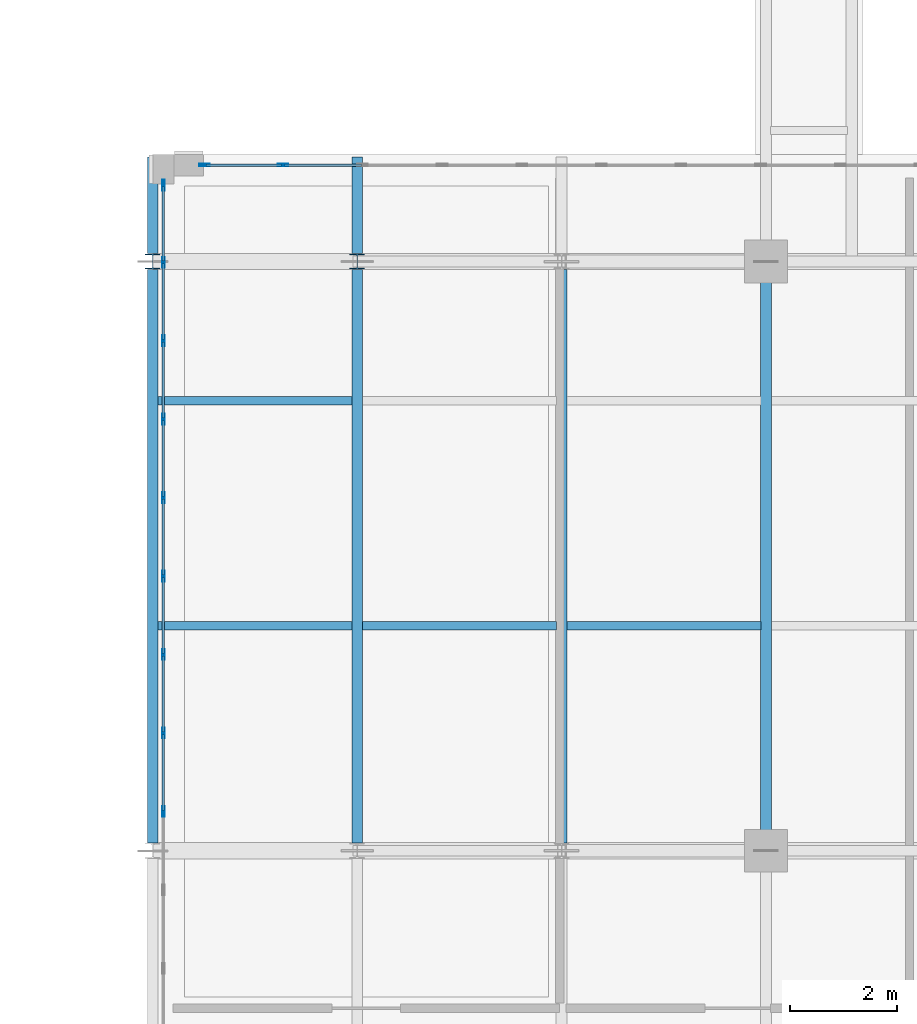
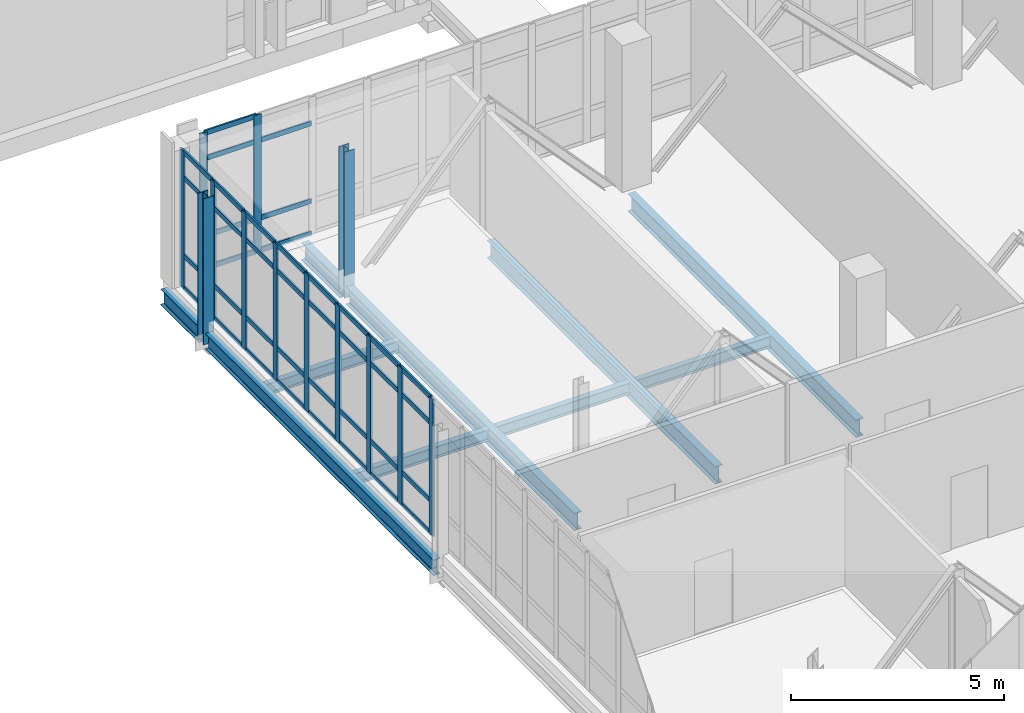
# One storey, part 9 of 158: 52 members, 10 beams, 2 elements without a shape of their own.
"""IFC4 building model written with IfcOpenShell, lengths in metres."""

import ifcopenshell
import ifcopenshell.guid

model = None  # the IFC model being written
_history = None  # IfcOwnerHistory: only IFC2X3 demands one
_inside = {}  # id of a spatial element -> (the spatial element, [elements in it])
_under = {}  # id of a project, library or spatial element -> (it, [spatial elements below it])
_declared = {}  # id of a project -> (the project, [libraries it declares])
_typed = {}  # id of a type object -> (the type object, [elements of that type])
_made_of = {}  # id of a material, layer set ... -> (it, [elements and type objects made of it])


def new_model(schema):
    """Start an empty IFC model of exactly this schema.

    Asked for "IFC4X3", IfcOpenShell would pick the latest addendum, in which some entities
    have other attributes; the version numbers below select the first issue.
    IFC2X3 requires an IfcOwnerHistory on every rooted entity: one is made here for all.
    """
    global model, _history
    if schema == "IFC4X3":
        model = ifcopenshell.file(schema_version=(4, 3, 0, 0))
    else:
        model = ifcopenshell.file(schema=schema)
    _inside.clear()
    _under.clear()
    _declared.clear()
    _typed.clear()
    _made_of.clear()
    _history = None
    if model.schema == "IFC2X3":
        org = make("IfcOrganization", Name="unknown")
        user = make(
            "IfcPersonAndOrganization",
            ThePerson=make("IfcPerson", FamilyName="unknown"),
            TheOrganization=org,
        )
        app = make(
            "IfcApplication",
            ApplicationDeveloper=org,
            Version="unknown",
            ApplicationFullName="unknown",
            ApplicationIdentifier="unknown",
        )
        _history = make(
            "IfcOwnerHistory",
            OwningUser=user,
            OwningApplication=app,
            ChangeAction="ADDED",
            CreationDate=0,
        )
    return model


def make(cls, **values):
    """One entity of the class cls with the attributes given. An attribute that is None is left unset."""
    return model.create_entity(
        cls, **{name: value for name, value in values.items() if value is not None}
    )


def rooted(cls, **values):
    """An entity with a GlobalId (a new one), such as an element, a storey or a relation."""
    return make(cls, GlobalId=ifcopenshell.guid.new(), OwnerHistory=_history, **values)


def si_unit(unit_type, name, prefix=None):
    """IfcSIUnit, for example si_unit("LENGTHUNIT", "METRE", prefix="MILLI")."""
    return make("IfcSIUnit", UnitType=unit_type, Prefix=prefix, Name=name)


def assignment(units):
    """IfcUnitAssignment: the units of a project."""
    return None if units is None else make("IfcUnitAssignment", Units=units)


def point(xyz):
    """IfcCartesianPoint."""
    return None if xyz is None else make("IfcCartesianPoint", Coordinates=xyz)


def direction(xyz):
    """IfcDirection."""
    return None if xyz is None else make("IfcDirection", DirectionRatios=xyz)


def frame(location, z_axis=None, x_axis=None):
    """IfcAxis2Placement3D, a coordinate frame: its origin and axes. An axis left out is left unset."""
    return make(
        "IfcAxis2Placement3D",
        Location=point(location),
        Axis=direction(z_axis),
        RefDirection=direction(x_axis),
    )


def frame_2d(location, x_axis=None):
    """IfcAxis2Placement2D, a coordinate frame in the plane: its origin and x axis."""
    return make(
        "IfcAxis2Placement2D", Location=point(location), RefDirection=direction(x_axis)
    )


def origin():
    """The frame at (0, 0, 0) with its axes left unset."""
    return frame((0.0, 0.0, 0.0))


def origin_2d():
    """The frame at (0, 0) in the plane with its x axis left unset."""
    return frame_2d((0.0, 0.0))


def place(relative_to, where):
    """IfcLocalPlacement: puts the frame where relative to a parent placement (None: the world)."""
    return make(
        "IfcLocalPlacement", PlacementRelTo=relative_to, RelativePlacement=where
    )


def context(
    kind, dimensions, precision=None, world=None, true_north=None, identifier=None
):
    """IfcGeometricRepresentationContext, for example the 3D "Model" context."""
    return make(
        "IfcGeometricRepresentationContext",
        ContextIdentifier=identifier,
        ContextType=kind,
        CoordinateSpaceDimension=dimensions,
        Precision=precision,
        WorldCoordinateSystem=world,
        TrueNorth=true_north,
    )


def subcontext(parent, identifier, kind, view, scale=None):
    """IfcGeometricRepresentationSubContext, for example "Body" below "Model"."""
    return make(
        "IfcGeometricRepresentationSubContext",
        ContextIdentifier=identifier,
        ContextType=kind,
        ParentContext=parent,
        TargetScale=scale,
        TargetView=view,
    )


def project(units=None, contexts=None):
    """IfcProject with its units and contexts."""
    return rooted(
        "IfcProject",
        Name="project",
        RepresentationContexts=contexts,
        UnitsInContext=assignment(units),
    )


def spatial(cls, under=None, at=None, **own):
    """A site, building, storey or space (cls), placed at a placement, below another one or the project."""
    s = rooted(cls, ObjectPlacement=at, **own)
    if under is not None:
        _under.setdefault(under.id(), (under, []))[1].append(s)
    return s


def profile(cls, at=None, kind="AREA", **sizes):
    """A parametric profile (cls). Its sizes go by their IFC names, for example OverallWidth=200.0."""
    return make(cls, ProfileType=kind, Position=at, **sizes)


def hollow_rectangle(**sizes):
    """IfcRectangleHollowProfileDef."""
    return profile("IfcRectangleHollowProfileDef", **sizes)


def i_section(**sizes):
    """IfcIShapeProfileDef."""
    return profile("IfcIShapeProfileDef", **sizes)


def extrude(swept, where, along, depth):
    """IfcExtrudedAreaSolid: the profile swept, set in the frame where, extruded along a direction by depth."""
    return make(
        "IfcExtrudedAreaSolid",
        SweptArea=swept,
        Position=where,
        ExtrudedDirection=direction(along),
        Depth=depth,
    )


def shape(context_of_items, identifier, shape_type, items):
    """IfcShapeRepresentation: the items that make up one representation, for example the "Body"."""
    return make(
        "IfcShapeRepresentation",
        ContextOfItems=context_of_items,
        RepresentationIdentifier=identifier,
        RepresentationType=shape_type,
        Items=items,
    )


def material(Name=None, Category=None):
    """IfcMaterial."""
    return make("IfcMaterial", Name=Name, Category=Category)


def layer(
    of_material, thickness, ventilated=None, Name=None, Category=None, Priority=None
):
    """IfcMaterialLayer: one layer of a wall or slab, of a material (None: an air gap)."""
    return make(
        "IfcMaterialLayer",
        Material=of_material,
        LayerThickness=thickness,
        IsVentilated=ventilated,
        Name=Name,
        Category=Category,
        Priority=Priority,
    )


def layer_set(layers, Name=None):
    """IfcMaterialLayerSet."""
    return make("IfcMaterialLayerSet", MaterialLayers=layers, LayerSetName=Name)


def material_profile(
    of_material, cross_section, Name=None, Category=None, Priority=None
):
    """IfcMaterialProfile: a cross section and its material."""
    return make(
        "IfcMaterialProfile",
        Name=Name,
        Material=of_material,
        Profile=cross_section,
        Priority=Priority,
        Category=Category,
    )


def profile_set(profiles, Name=None, composite=None):
    """IfcMaterialProfileSet."""
    return make(
        "IfcMaterialProfileSet",
        Name=Name,
        MaterialProfiles=profiles,
        CompositeProfile=composite,
    )


def made_of(thing, what):
    """Note that an element or type object is made of a material, layer set ...; save() writes the relation."""
    if what is not None:
        _made_of.setdefault(what.id(), (what, []))[1].append(thing)
    return thing


def type_object(cls, material=None, **own):
    """A type object (cls), such as IfcWallType, which elements share."""
    return made_of(rooted(cls, **own), material)


def element(
    cls,
    number,
    at=None,
    inside=None,
    cuts=None,
    type_object=None,
    material=None,
    context=None,
    identifier="Body",
    shape_type=None,
    held_by="IfcProductDefinitionShape",
    body=None,
    shapes=None,
    **own,
):
    """One element of the class cls, such as IfcWall. Its Tag is "e" and its number.

    at: its placement. inside: the storey or other place that contains it. cuts: it is an
    opening in that element (IfcRelVoidsElement). A single representation is given by context,
    identifier, shape_type and body (its items); several are given by shapes. held_by: the class
    of the entity that holds the representations. save() writes the other relations.
    """
    e = rooted(cls, Tag="e%d" % number, ObjectPlacement=at, **own)
    if body is not None:
        shapes = [shape(context, identifier, shape_type, body)]
    if shapes is not None:
        e.Representation = make(held_by, Representations=shapes)
    if inside is not None:
        _inside.setdefault(inside.id(), (inside, []))[1].append(e)
    if cuts is not None:
        rooted(
            "IfcRelVoidsElement", RelatingBuildingElement=cuts, RelatedOpeningElement=e
        )
    if type_object is not None:
        _typed.setdefault(type_object.id(), (type_object, []))[1].append(e)
    return made_of(e, material)


def aggregate(whole, parts):
    """IfcRelAggregates: a whole, such as a stair, and the parts it consists of."""
    return rooted("IfcRelAggregates", RelatingObject=whole, RelatedObjects=parts)


def save(model, path):
    """Write the relations noted so far, then the file.

    IfcRelAggregates (storeys below a building ...), IfcRelContainedInSpatialStructure (elements
    in a storey), IfcRelDefinesByType, IfcRelAssociatesMaterial and IfcRelDeclares: one each for
    every whole, place, type object, material and project.
    """
    for whole, parts in _under.values():
        aggregate(whole, parts)
    for where, things in _inside.values():
        rooted(
            "IfcRelContainedInSpatialStructure",
            RelatedElements=things,
            RelatingStructure=where,
        )
    for kind, things in _typed.values():
        rooted("IfcRelDefinesByType", RelatedObjects=things, RelatingType=kind)
    for what, things in _made_of.values():
        rooted("IfcRelAssociatesMaterial", RelatedObjects=things, RelatingMaterial=what)
    for by, libraries in _declared.values():
        rooted("IfcRelDeclares", RelatingContext=by, RelatedDefinitions=libraries)
    model.write(path)


model = new_model("IFC4")

# Units and contexts
model_context = context("Model", 3, precision=1e-05, world=origin(), true_north=direction((0.0, 1.0)))
body_context = subcontext(model_context, "Body", "Model", "MODEL_VIEW")
ifc_project = project(units=[si_unit("LENGTHUNIT", "METRE"), si_unit("AREAUNIT", "SQUARE_METRE"), si_unit("VOLUMEUNIT", "CUBIC_METRE"), si_unit("PLANEANGLEUNIT", "RADIAN"), si_unit("MASSUNIT", "GRAM", prefix="KILO")], contexts=[model_context])

# Site, building, storey
site_placement = place(None, origin())
site = spatial("IfcSite", under=ifc_project, at=site_placement, CompositionType="ELEMENT")
building_placement = place(site_placement, origin())
building = spatial("IfcBuilding", under=site, at=building_placement, Name="Qalavern Law Courts", CompositionType="ELEMENT")
storey_placement = place(building_placement, frame((0.0, 0.0, 18.60009765625)))
storey = spatial("IfcBuildingStorey", under=building, at=storey_placement, Name="L04", CompositionType="ELEMENT", Elevation=18.60009765625)

# Curtain wall, members
ifc_material_1 = material(Name="Anodised aluminium and insulated glazing", Category="aluminium")
ifc_layer = layer(ifc_material_1, 0.199951171875)
ifc_layer_set = layer_set([ifc_layer], Name="Anodised aluminium and insulated glazing")
curtain_wall_type = type_object("IfcCurtainWallType", Name="ENV-CW-FOYER", PredefinedType="USERDEFINED", material=ifc_layer_set)
curtain_wall_1_placement = place(storey_placement, origin())
curtain_wall_1 = element("IfcCurtainWall", 1, at=curtain_wall_1_placement, inside=storey, type_object=curtain_wall_type, Name="V1 unitised curtain wall L04 north 1", ObjectType="UNITISED CURTAIN WALL", PredefinedType="USERDEFINED")
ifc_material_2 = material(Name="Anodised aluminium", Category="aluminium")
ifc_material_profile_1 = material_profile(ifc_material_2, hollow_rectangle(XDim=0.048095703125, YDim=0.199951171875, WallThickness=0.00439453125, at=origin_2d()), Name="ALU MULLION 48x200")
ifc_profile_set_1 = profile_set([ifc_material_profile_1], Name="Anodised aluminium")
member_type_1 = type_object("IfcMemberType", Name="ENV-CWM-48x200", PredefinedType="MULLION", material=ifc_profile_set_1)
member_1_placement = place(storey_placement, frame((7.78173828125, 33.800048828125, 0.0), z_axis=(0.0, 0.0, 1.0), x_axis=(0.0, -1.0, 0.0)))
member_1 = element("IfcMember", 2, at=member_1_placement, type_object=member_type_1, Name="CW-01 mullion 18", PredefinedType="MULLION", context=body_context, shape_type="SweptSolid", body=[
    extrude(hollow_rectangle(XDim=0.048095703125, YDim=0.199951171875, WallThickness=0.00439453125, at=origin_2d()), origin(), (0.0, 0.0, 1.0), 3.9248046875),
])
member_2_placement = place(storey_placement, frame((6.319091796875, 33.800048828125, 0.0), z_axis=(0.0, 0.0, 1.0), x_axis=(0.0, -1.0, 0.0)))
member_2 = element("IfcMember", 3, at=member_2_placement, type_object=member_type_1, Name="CW-01 mullion 19", PredefinedType="MULLION", context=body_context, shape_type="SweptSolid", body=[
    extrude(hollow_rectangle(XDim=0.048095703125, YDim=0.199951171875, WallThickness=0.00439453125, at=origin_2d()), origin(), (0.0, 0.0, 1.0), 3.9248046875),
])

curtain_wall_2_placement = place(storey_placement, origin())
curtain_wall_2 = element("IfcCurtainWall", 4, at=curtain_wall_2_placement, inside=storey, type_object=curtain_wall_type, Name="V1 unitised curtain wall L04 west 1", ObjectType="UNITISED CURTAIN WALL", PredefinedType="USERDEFINED")
member_3_placement = place(storey_placement, frame((5.550048828125, 33.426025390625, 0.0), z_axis=(0.0, 0.0, 1.0), x_axis=(1.0, 0.0, 0.0)))
member_3 = element("IfcMember", 5, at=member_3_placement, type_object=member_type_1, Name="CW-01 mullion 1", PredefinedType="MULLION", context=body_context, shape_type="SweptSolid", body=[
    extrude(hollow_rectangle(XDim=0.048095703125, YDim=0.199951171875, WallThickness=0.00439453125, at=origin_2d()), origin(), (0.0, 0.0, 1.0), 3.9248046875),
])
member_4_placement = place(storey_placement, frame((5.550048828125, 31.9853515625, 0.0), z_axis=(0.0, 0.0, 1.0), x_axis=(1.0, 0.0, 0.0)))
member_4 = element("IfcMember", 6, at=member_4_placement, type_object=member_type_1, Name="CW-01 mullion 2", PredefinedType="MULLION", context=body_context, shape_type="SweptSolid", body=[
    extrude(hollow_rectangle(XDim=0.048095703125, YDim=0.199951171875, WallThickness=0.00439453125, at=origin_2d()), origin(), (0.0, 0.0, 1.0), 3.9248046875),
])
member_5_placement = place(storey_placement, frame((5.550048828125, 30.5205078125, 0.0), z_axis=(0.0, 0.0, 1.0), x_axis=(1.0, 0.0, 0.0)))
member_5 = element("IfcMember", 7, at=member_5_placement, type_object=member_type_1, Name="CW-01 mullion 3", PredefinedType="MULLION", context=body_context, shape_type="SweptSolid", body=[
    extrude(hollow_rectangle(XDim=0.048095703125, YDim=0.199951171875, WallThickness=0.00439453125, at=origin_2d()), origin(), (0.0, 0.0, 1.0), 3.9248046875),
])
member_6_placement = place(storey_placement, frame((5.550048828125, 29.055908203125, 0.0), z_axis=(0.0, 0.0, 1.0), x_axis=(1.0, 0.0, 0.0)))
member_6 = element("IfcMember", 8, at=member_6_placement, type_object=member_type_1, Name="CW-01 mullion 4", PredefinedType="MULLION", context=body_context, shape_type="SweptSolid", body=[
    extrude(hollow_rectangle(XDim=0.048095703125, YDim=0.199951171875, WallThickness=0.00439453125, at=origin_2d()), origin(), (0.0, 0.0, 1.0), 3.9248046875),
])
member_7_placement = place(storey_placement, frame((5.550048828125, 27.591064453125, 0.0), z_axis=(0.0, 0.0, 1.0), x_axis=(1.0, 0.0, 0.0)))
member_7 = element("IfcMember", 9, at=member_7_placement, type_object=member_type_1, Name="CW-01 mullion 5", PredefinedType="MULLION", context=body_context, shape_type="SweptSolid", body=[
    extrude(hollow_rectangle(XDim=0.048095703125, YDim=0.199951171875, WallThickness=0.00439453125, at=origin_2d()), origin(), (0.0, 0.0, 1.0), 3.9248046875),
])
member_8_placement = place(storey_placement, frame((5.550048828125, 26.12646484375, 0.0), z_axis=(0.0, 0.0, 1.0), x_axis=(1.0, 0.0, 0.0)))
member_8 = element("IfcMember", 10, at=member_8_placement, type_object=member_type_1, Name="CW-01 mullion 6", PredefinedType="MULLION", context=body_context, shape_type="SweptSolid", body=[
    extrude(hollow_rectangle(XDim=0.048095703125, YDim=0.199951171875, WallThickness=0.00439453125, at=origin_2d()), origin(), (0.0, 0.0, 1.0), 3.9248046875),
])
member_9_placement = place(storey_placement, frame((5.550048828125, 24.661865234375, 0.0), z_axis=(0.0, 0.0, 1.0), x_axis=(1.0, 0.0, 0.0)))
member_9 = element("IfcMember", 11, at=member_9_placement, type_object=member_type_1, Name="CW-01 mullion 7", PredefinedType="MULLION", context=body_context, shape_type="SweptSolid", body=[
    extrude(hollow_rectangle(XDim=0.048095703125, YDim=0.199951171875, WallThickness=0.00439453125, at=origin_2d()), origin(), (0.0, 0.0, 1.0), 3.9248046875),
])
member_10_placement = place(storey_placement, frame((5.550048828125, 23.197021484375, 0.0), z_axis=(0.0, 0.0, 1.0), x_axis=(1.0, 0.0, 0.0)))
member_10 = element("IfcMember", 12, at=member_10_placement, type_object=member_type_1, Name="CW-01 mullion 8", PredefinedType="MULLION", context=body_context, shape_type="SweptSolid", body=[
    extrude(hollow_rectangle(XDim=0.048095703125, YDim=0.199951171875, WallThickness=0.00439453125, at=origin_2d()), origin(), (0.0, 0.0, 1.0), 3.9248046875),
])
member_11_placement = place(storey_placement, frame((5.550048828125, 21.732421875, 0.0), z_axis=(0.0, 0.0, 1.0), x_axis=(1.0, 0.0, 0.0)))
member_11 = element("IfcMember", 13, at=member_11_placement, type_object=member_type_1, Name="CW-01 mullion 9", PredefinedType="MULLION", context=body_context, shape_type="SweptSolid", body=[
    extrude(hollow_rectangle(XDim=0.048095703125, YDim=0.199951171875, WallThickness=0.00439453125, at=origin_2d()), origin(), (0.0, 0.0, 1.0), 3.9248046875),
])

# Member
ifc_material_profile_2 = material_profile(ifc_material_2, hollow_rectangle(XDim=0.048095703125, YDim=0.139892578125, WallThickness=0.00390625, at=origin_2d()), Name="ALU TRANSOM 48x140")
ifc_profile_set_2 = profile_set([ifc_material_profile_2], Name="Anodised aluminium")
member_type_2 = type_object("IfcMemberType", Name="ENV-CWT-48x140", PredefinedType="USERDEFINED", material=ifc_profile_set_2)
member_12_placement = place(storey_placement, frame((9.244384765625, 33.800048828125, 0.02392578125), z_axis=(-1.0, 0.0, 0.0), x_axis=(0.0, -1.0, 0.0)))
member_12 = element("IfcMember", 14, at=member_12_placement, type_object=member_type_2, Name="CW-01 transom 17.1", ObjectType="TRANSOM", PredefinedType="USERDEFINED", context=body_context, shape_type="SweptSolid", body=[
    extrude(hollow_rectangle(XDim=0.048095703125, YDim=0.139892578125, WallThickness=0.00390625, at=origin_2d()), origin(), (0.0, 0.0, 1.0), 1.438720703125),
])

member_13_placement = place(storey_placement, frame((9.244384765625, 33.800048828125, 0.949951171875), z_axis=(-1.0, 0.0, 0.0), x_axis=(0.0, -1.0, 0.0)))
member_13 = element("IfcMember", 15, at=member_13_placement, type_object=member_type_2, Name="CW-01 transom 17.2", ObjectType="TRANSOM", PredefinedType="USERDEFINED", context=body_context, shape_type="SweptSolid", body=[
    extrude(hollow_rectangle(XDim=0.048095703125, YDim=0.139892578125, WallThickness=0.00390625, at=origin_2d()), origin(), (0.0, 0.0, 1.0), 1.438720703125),
])

member_14_placement = place(storey_placement, frame((9.244384765625, 33.800048828125, 3.1748046875), z_axis=(-1.0, 0.0, 0.0), x_axis=(0.0, -1.0, 0.0)))
member_14 = element("IfcMember", 16, at=member_14_placement, type_object=member_type_2, Name="CW-01 transom 17.3", ObjectType="TRANSOM", PredefinedType="USERDEFINED", context=body_context, shape_type="SweptSolid", body=[
    extrude(hollow_rectangle(XDim=0.048095703125, YDim=0.139892578125, WallThickness=0.00390625, at=origin_2d()), origin(), (0.0, 0.0, 1.0), 1.438720703125),
])

member_15_placement = place(storey_placement, frame((7.757568359375, 33.800048828125, 0.02392578125), z_axis=(-1.0, 0.0, 0.0), x_axis=(0.0, -1.0, 0.0)))
member_15 = element("IfcMember", 17, at=member_15_placement, type_object=member_type_2, Name="CW-01 transom 18.1", ObjectType="TRANSOM", PredefinedType="USERDEFINED", context=body_context, shape_type="SweptSolid", body=[
    extrude(hollow_rectangle(XDim=0.048095703125, YDim=0.139892578125, WallThickness=0.00390625, at=origin_2d()), origin(), (0.0, 0.0, 1.0), 1.41455078125),
])

member_16_placement = place(storey_placement, frame((7.757568359375, 33.800048828125, 0.949951171875), z_axis=(-1.0, 0.0, 0.0), x_axis=(0.0, -1.0, 0.0)))
member_16 = element("IfcMember", 18, at=member_16_placement, type_object=member_type_2, Name="CW-01 transom 18.2", ObjectType="TRANSOM", PredefinedType="USERDEFINED", context=body_context, shape_type="SweptSolid", body=[
    extrude(hollow_rectangle(XDim=0.048095703125, YDim=0.139892578125, WallThickness=0.00390625, at=origin_2d()), origin(), (0.0, 0.0, 1.0), 1.41455078125),
])

member_17_placement = place(storey_placement, frame((7.757568359375, 33.800048828125, 3.1748046875), z_axis=(-1.0, 0.0, 0.0), x_axis=(0.0, -1.0, 0.0)))
member_17 = element("IfcMember", 19, at=member_17_placement, type_object=member_type_2, Name="CW-01 transom 18.3", ObjectType="TRANSOM", PredefinedType="USERDEFINED", context=body_context, shape_type="SweptSolid", body=[
    extrude(hollow_rectangle(XDim=0.048095703125, YDim=0.139892578125, WallThickness=0.00390625, at=origin_2d()), origin(), (0.0, 0.0, 1.0), 1.41455078125),
])

member_18_placement = place(storey_placement, frame((7.757568359375, 33.800048828125, 3.90087890625), z_axis=(-1.0, 0.0, 0.0), x_axis=(0.0, -1.0, 0.0)))
member_18 = element("IfcMember", 20, at=member_18_placement, type_object=member_type_2, Name="CW-01 transom 18.4", ObjectType="TRANSOM", PredefinedType="USERDEFINED", context=body_context, shape_type="SweptSolid", body=[
    extrude(hollow_rectangle(XDim=0.048095703125, YDim=0.139892578125, WallThickness=0.00390625, at=origin_2d()), origin(), (0.0, 0.0, 1.0), 1.41455078125),
])

aggregate(curtain_wall_1, [member_1, member_2, member_12, member_13, member_14, member_15, member_16, member_17, member_18])

member_19_placement = place(storey_placement, frame((5.550048828125, 33.402099609375, 0.02392578125), z_axis=(0.0, -1.0, 0.0), x_axis=(1.0, 0.0, 0.0)))
member_19 = element("IfcMember", 21, at=member_19_placement, type_object=member_type_2, Name="CW-01 transom 1.1", ObjectType="TRANSOM", PredefinedType="USERDEFINED", context=body_context, shape_type="SweptSolid", body=[
    extrude(hollow_rectangle(XDim=0.048095703125, YDim=0.139892578125, WallThickness=0.00390625, at=origin_2d()), origin(), (0.0, 0.0, 1.0), 1.392822265625),
])

member_20_placement = place(storey_placement, frame((5.550048828125, 33.402099609375, 0.949951171875), z_axis=(0.0, -1.0, 0.0), x_axis=(1.0, 0.0, 0.0)))
member_20 = element("IfcMember", 22, at=member_20_placement, type_object=member_type_2, Name="CW-01 transom 1.2", ObjectType="TRANSOM", PredefinedType="USERDEFINED", context=body_context, shape_type="SweptSolid", body=[
    extrude(hollow_rectangle(XDim=0.048095703125, YDim=0.139892578125, WallThickness=0.00390625, at=origin_2d()), origin(), (0.0, 0.0, 1.0), 1.392822265625),
])

member_21_placement = place(storey_placement, frame((5.550048828125, 33.402099609375, 3.1748046875), z_axis=(0.0, -1.0, 0.0), x_axis=(1.0, 0.0, 0.0)))
member_21 = element("IfcMember", 23, at=member_21_placement, type_object=member_type_2, Name="CW-01 transom 1.3", ObjectType="TRANSOM", PredefinedType="USERDEFINED", context=body_context, shape_type="SweptSolid", body=[
    extrude(hollow_rectangle(XDim=0.048095703125, YDim=0.139892578125, WallThickness=0.00390625, at=origin_2d()), origin(), (0.0, 0.0, 1.0), 1.392822265625),
])

member_22_placement = place(storey_placement, frame((5.550048828125, 33.402099609375, 3.90087890625), z_axis=(0.0, -1.0, 0.0), x_axis=(1.0, 0.0, 0.0)))
member_22 = element("IfcMember", 24, at=member_22_placement, type_object=member_type_2, Name="CW-01 transom 1.4", ObjectType="TRANSOM", PredefinedType="USERDEFINED", context=body_context, shape_type="SweptSolid", body=[
    extrude(hollow_rectangle(XDim=0.048095703125, YDim=0.139892578125, WallThickness=0.00390625, at=origin_2d()), origin(), (0.0, 0.0, 1.0), 1.392822265625),
])

member_23_placement = place(storey_placement, frame((5.550048828125, 31.961181640625, 0.02392578125), z_axis=(0.0, -1.0, 0.0), x_axis=(1.0, 0.0, 0.0)))
member_23 = element("IfcMember", 25, at=member_23_placement, type_object=member_type_2, Name="CW-01 transom 2.1", ObjectType="TRANSOM", PredefinedType="USERDEFINED", context=body_context, shape_type="SweptSolid", body=[
    extrude(hollow_rectangle(XDim=0.048095703125, YDim=0.139892578125, WallThickness=0.00390625, at=origin_2d()), origin(), (0.0, 0.0, 1.0), 1.41650390625),
])

member_24_placement = place(storey_placement, frame((5.550048828125, 31.961181640625, 0.949951171875), z_axis=(0.0, -1.0, 0.0), x_axis=(1.0, 0.0, 0.0)))
member_24 = element("IfcMember", 26, at=member_24_placement, type_object=member_type_2, Name="CW-01 transom 2.2", ObjectType="TRANSOM", PredefinedType="USERDEFINED", context=body_context, shape_type="SweptSolid", body=[
    extrude(hollow_rectangle(XDim=0.048095703125, YDim=0.139892578125, WallThickness=0.00390625, at=origin_2d()), origin(), (0.0, 0.0, 1.0), 1.41650390625),
])

member_25_placement = place(storey_placement, frame((5.550048828125, 31.961181640625, 3.1748046875), z_axis=(0.0, -1.0, 0.0), x_axis=(1.0, 0.0, 0.0)))
member_25 = element("IfcMember", 27, at=member_25_placement, type_object=member_type_2, Name="CW-01 transom 2.3", ObjectType="TRANSOM", PredefinedType="USERDEFINED", context=body_context, shape_type="SweptSolid", body=[
    extrude(hollow_rectangle(XDim=0.048095703125, YDim=0.139892578125, WallThickness=0.00390625, at=origin_2d()), origin(), (0.0, 0.0, 1.0), 1.41650390625),
])

member_26_placement = place(storey_placement, frame((5.550048828125, 31.961181640625, 3.90087890625), z_axis=(0.0, -1.0, 0.0), x_axis=(1.0, 0.0, 0.0)))
member_26 = element("IfcMember", 28, at=member_26_placement, type_object=member_type_2, Name="CW-01 transom 2.4", ObjectType="TRANSOM", PredefinedType="USERDEFINED", context=body_context, shape_type="SweptSolid", body=[
    extrude(hollow_rectangle(XDim=0.048095703125, YDim=0.139892578125, WallThickness=0.00390625, at=origin_2d()), origin(), (0.0, 0.0, 1.0), 1.41650390625),
])

member_27_placement = place(storey_placement, frame((5.550048828125, 30.49658203125, 0.02392578125), z_axis=(0.0, -1.0, 0.0), x_axis=(1.0, 0.0, 0.0)))
member_27 = element("IfcMember", 29, at=member_27_placement, type_object=member_type_2, Name="CW-01 transom 3.1", ObjectType="TRANSOM", PredefinedType="USERDEFINED", context=body_context, shape_type="SweptSolid", body=[
    extrude(hollow_rectangle(XDim=0.048095703125, YDim=0.139892578125, WallThickness=0.00390625, at=origin_2d()), origin(), (0.0, 0.0, 1.0), 1.416748046875),
])

member_28_placement = place(storey_placement, frame((5.550048828125, 30.49658203125, 0.949951171875), z_axis=(0.0, -1.0, 0.0), x_axis=(1.0, 0.0, 0.0)))
member_28 = element("IfcMember", 30, at=member_28_placement, type_object=member_type_2, Name="CW-01 transom 3.2", ObjectType="TRANSOM", PredefinedType="USERDEFINED", context=body_context, shape_type="SweptSolid", body=[
    extrude(hollow_rectangle(XDim=0.048095703125, YDim=0.139892578125, WallThickness=0.00390625, at=origin_2d()), origin(), (0.0, 0.0, 1.0), 1.416748046875),
])

member_29_placement = place(storey_placement, frame((5.550048828125, 30.49658203125, 3.1748046875), z_axis=(0.0, -1.0, 0.0), x_axis=(1.0, 0.0, 0.0)))
member_29 = element("IfcMember", 31, at=member_29_placement, type_object=member_type_2, Name="CW-01 transom 3.3", ObjectType="TRANSOM", PredefinedType="USERDEFINED", context=body_context, shape_type="SweptSolid", body=[
    extrude(hollow_rectangle(XDim=0.048095703125, YDim=0.139892578125, WallThickness=0.00390625, at=origin_2d()), origin(), (0.0, 0.0, 1.0), 1.416748046875),
])

member_30_placement = place(storey_placement, frame((5.550048828125, 30.49658203125, 3.90087890625), z_axis=(0.0, -1.0, 0.0), x_axis=(1.0, 0.0, 0.0)))
member_30 = element("IfcMember", 32, at=member_30_placement, type_object=member_type_2, Name="CW-01 transom 3.4", ObjectType="TRANSOM", PredefinedType="USERDEFINED", context=body_context, shape_type="SweptSolid", body=[
    extrude(hollow_rectangle(XDim=0.048095703125, YDim=0.139892578125, WallThickness=0.00390625, at=origin_2d()), origin(), (0.0, 0.0, 1.0), 1.416748046875),
])

member_31_placement = place(storey_placement, frame((5.550048828125, 29.031982421875, 0.02392578125), z_axis=(0.0, -1.0, 0.0), x_axis=(1.0, 0.0, 0.0)))
member_31 = element("IfcMember", 33, at=member_31_placement, type_object=member_type_2, Name="CW-01 transom 4.1", ObjectType="TRANSOM", PredefinedType="USERDEFINED", context=body_context, shape_type="SweptSolid", body=[
    extrude(hollow_rectangle(XDim=0.048095703125, YDim=0.139892578125, WallThickness=0.00390625, at=origin_2d()), origin(), (0.0, 0.0, 1.0), 1.416748046875),
])

member_32_placement = place(storey_placement, frame((5.550048828125, 29.031982421875, 0.949951171875), z_axis=(0.0, -1.0, 0.0), x_axis=(1.0, 0.0, 0.0)))
member_32 = element("IfcMember", 34, at=member_32_placement, type_object=member_type_2, Name="CW-01 transom 4.2", ObjectType="TRANSOM", PredefinedType="USERDEFINED", context=body_context, shape_type="SweptSolid", body=[
    extrude(hollow_rectangle(XDim=0.048095703125, YDim=0.139892578125, WallThickness=0.00390625, at=origin_2d()), origin(), (0.0, 0.0, 1.0), 1.416748046875),
])

member_33_placement = place(storey_placement, frame((5.550048828125, 29.031982421875, 3.1748046875), z_axis=(0.0, -1.0, 0.0), x_axis=(1.0, 0.0, 0.0)))
member_33 = element("IfcMember", 35, at=member_33_placement, type_object=member_type_2, Name="CW-01 transom 4.3", ObjectType="TRANSOM", PredefinedType="USERDEFINED", context=body_context, shape_type="SweptSolid", body=[
    extrude(hollow_rectangle(XDim=0.048095703125, YDim=0.139892578125, WallThickness=0.00390625, at=origin_2d()), origin(), (0.0, 0.0, 1.0), 1.416748046875),
])

member_34_placement = place(storey_placement, frame((5.550048828125, 29.031982421875, 3.90087890625), z_axis=(0.0, -1.0, 0.0), x_axis=(1.0, 0.0, 0.0)))
member_34 = element("IfcMember", 36, at=member_34_placement, type_object=member_type_2, Name="CW-01 transom 4.4", ObjectType="TRANSOM", PredefinedType="USERDEFINED", context=body_context, shape_type="SweptSolid", body=[
    extrude(hollow_rectangle(XDim=0.048095703125, YDim=0.139892578125, WallThickness=0.00390625, at=origin_2d()), origin(), (0.0, 0.0, 1.0), 1.416748046875),
])

member_35_placement = place(storey_placement, frame((5.550048828125, 27.567138671875, 0.02392578125), z_axis=(0.0, -1.0, 0.0), x_axis=(1.0, 0.0, 0.0)))
member_35 = element("IfcMember", 37, at=member_35_placement, type_object=member_type_2, Name="CW-01 transom 5.1", ObjectType="TRANSOM", PredefinedType="USERDEFINED", context=body_context, shape_type="SweptSolid", body=[
    extrude(hollow_rectangle(XDim=0.048095703125, YDim=0.139892578125, WallThickness=0.00390625, at=origin_2d()), origin(), (0.0, 0.0, 1.0), 1.416748046875),
])

member_36_placement = place(storey_placement, frame((5.550048828125, 27.567138671875, 0.949951171875), z_axis=(0.0, -1.0, 0.0), x_axis=(1.0, 0.0, 0.0)))
member_36 = element("IfcMember", 38, at=member_36_placement, type_object=member_type_2, Name="CW-01 transom 5.2", ObjectType="TRANSOM", PredefinedType="USERDEFINED", context=body_context, shape_type="SweptSolid", body=[
    extrude(hollow_rectangle(XDim=0.048095703125, YDim=0.139892578125, WallThickness=0.00390625, at=origin_2d()), origin(), (0.0, 0.0, 1.0), 1.416748046875),
])

member_37_placement = place(storey_placement, frame((5.550048828125, 27.567138671875, 3.1748046875), z_axis=(0.0, -1.0, 0.0), x_axis=(1.0, 0.0, 0.0)))
member_37 = element("IfcMember", 39, at=member_37_placement, type_object=member_type_2, Name="CW-01 transom 5.3", ObjectType="TRANSOM", PredefinedType="USERDEFINED", context=body_context, shape_type="SweptSolid", body=[
    extrude(hollow_rectangle(XDim=0.048095703125, YDim=0.139892578125, WallThickness=0.00390625, at=origin_2d()), origin(), (0.0, 0.0, 1.0), 1.416748046875),
])

member_38_placement = place(storey_placement, frame((5.550048828125, 27.567138671875, 3.90087890625), z_axis=(0.0, -1.0, 0.0), x_axis=(1.0, 0.0, 0.0)))
member_38 = element("IfcMember", 40, at=member_38_placement, type_object=member_type_2, Name="CW-01 transom 5.4", ObjectType="TRANSOM", PredefinedType="USERDEFINED", context=body_context, shape_type="SweptSolid", body=[
    extrude(hollow_rectangle(XDim=0.048095703125, YDim=0.139892578125, WallThickness=0.00390625, at=origin_2d()), origin(), (0.0, 0.0, 1.0), 1.416748046875),
])

member_39_placement = place(storey_placement, frame((5.550048828125, 26.1025390625, 0.02392578125), z_axis=(0.0, -1.0, 0.0), x_axis=(1.0, 0.0, 0.0)))
member_39 = element("IfcMember", 41, at=member_39_placement, type_object=member_type_2, Name="CW-01 transom 6.1", ObjectType="TRANSOM", PredefinedType="USERDEFINED", context=body_context, shape_type="SweptSolid", body=[
    extrude(hollow_rectangle(XDim=0.048095703125, YDim=0.139892578125, WallThickness=0.00390625, at=origin_2d()), origin(), (0.0, 0.0, 1.0), 1.416748046875),
])

member_40_placement = place(storey_placement, frame((5.550048828125, 26.1025390625, 0.949951171875), z_axis=(0.0, -1.0, 0.0), x_axis=(1.0, 0.0, 0.0)))
member_40 = element("IfcMember", 42, at=member_40_placement, type_object=member_type_2, Name="CW-01 transom 6.2", ObjectType="TRANSOM", PredefinedType="USERDEFINED", context=body_context, shape_type="SweptSolid", body=[
    extrude(hollow_rectangle(XDim=0.048095703125, YDim=0.139892578125, WallThickness=0.00390625, at=origin_2d()), origin(), (0.0, 0.0, 1.0), 1.416748046875),
])

member_41_placement = place(storey_placement, frame((5.550048828125, 26.1025390625, 3.1748046875), z_axis=(0.0, -1.0, 0.0), x_axis=(1.0, 0.0, 0.0)))
member_41 = element("IfcMember", 43, at=member_41_placement, type_object=member_type_2, Name="CW-01 transom 6.3", ObjectType="TRANSOM", PredefinedType="USERDEFINED", context=body_context, shape_type="SweptSolid", body=[
    extrude(hollow_rectangle(XDim=0.048095703125, YDim=0.139892578125, WallThickness=0.00390625, at=origin_2d()), origin(), (0.0, 0.0, 1.0), 1.416748046875),
])

member_42_placement = place(storey_placement, frame((5.550048828125, 26.1025390625, 3.90087890625), z_axis=(0.0, -1.0, 0.0), x_axis=(1.0, 0.0, 0.0)))
member_42 = element("IfcMember", 44, at=member_42_placement, type_object=member_type_2, Name="CW-01 transom 6.4", ObjectType="TRANSOM", PredefinedType="USERDEFINED", context=body_context, shape_type="SweptSolid", body=[
    extrude(hollow_rectangle(XDim=0.048095703125, YDim=0.139892578125, WallThickness=0.00390625, at=origin_2d()), origin(), (0.0, 0.0, 1.0), 1.416748046875),
])

member_43_placement = place(storey_placement, frame((5.550048828125, 24.6376953125, 0.02392578125), z_axis=(0.0, -1.0, 0.0), x_axis=(1.0, 0.0, 0.0)))
member_43 = element("IfcMember", 45, at=member_43_placement, type_object=member_type_2, Name="CW-01 transom 7.1", ObjectType="TRANSOM", PredefinedType="USERDEFINED", context=body_context, shape_type="SweptSolid", body=[
    extrude(hollow_rectangle(XDim=0.048095703125, YDim=0.139892578125, WallThickness=0.00390625, at=origin_2d()), origin(), (0.0, 0.0, 1.0), 1.416748046875),
])

member_44_placement = place(storey_placement, frame((5.550048828125, 24.6376953125, 0.949951171875), z_axis=(0.0, -1.0, 0.0), x_axis=(1.0, 0.0, 0.0)))
member_44 = element("IfcMember", 46, at=member_44_placement, type_object=member_type_2, Name="CW-01 transom 7.2", ObjectType="TRANSOM", PredefinedType="USERDEFINED", context=body_context, shape_type="SweptSolid", body=[
    extrude(hollow_rectangle(XDim=0.048095703125, YDim=0.139892578125, WallThickness=0.00390625, at=origin_2d()), origin(), (0.0, 0.0, 1.0), 1.416748046875),
])

member_45_placement = place(storey_placement, frame((5.550048828125, 24.6376953125, 3.1748046875), z_axis=(0.0, -1.0, 0.0), x_axis=(1.0, 0.0, 0.0)))
member_45 = element("IfcMember", 47, at=member_45_placement, type_object=member_type_2, Name="CW-01 transom 7.3", ObjectType="TRANSOM", PredefinedType="USERDEFINED", context=body_context, shape_type="SweptSolid", body=[
    extrude(hollow_rectangle(XDim=0.048095703125, YDim=0.139892578125, WallThickness=0.00390625, at=origin_2d()), origin(), (0.0, 0.0, 1.0), 1.416748046875),
])

member_46_placement = place(storey_placement, frame((5.550048828125, 24.6376953125, 3.90087890625), z_axis=(0.0, -1.0, 0.0), x_axis=(1.0, 0.0, 0.0)))
member_46 = element("IfcMember", 48, at=member_46_placement, type_object=member_type_2, Name="CW-01 transom 7.4", ObjectType="TRANSOM", PredefinedType="USERDEFINED", context=body_context, shape_type="SweptSolid", body=[
    extrude(hollow_rectangle(XDim=0.048095703125, YDim=0.139892578125, WallThickness=0.00390625, at=origin_2d()), origin(), (0.0, 0.0, 1.0), 1.416748046875),
])

member_47_placement = place(storey_placement, frame((5.550048828125, 23.173095703125, 0.02392578125), z_axis=(0.0, -1.0, 0.0), x_axis=(1.0, 0.0, 0.0)))
member_47 = element("IfcMember", 49, at=member_47_placement, type_object=member_type_2, Name="CW-01 transom 8.1", ObjectType="TRANSOM", PredefinedType="USERDEFINED", context=body_context, shape_type="SweptSolid", body=[
    extrude(hollow_rectangle(XDim=0.048095703125, YDim=0.139892578125, WallThickness=0.00390625, at=origin_2d()), origin(), (0.0, 0.0, 1.0), 1.416748046875),
])

member_48_placement = place(storey_placement, frame((5.550048828125, 23.173095703125, 0.949951171875), z_axis=(0.0, -1.0, 0.0), x_axis=(1.0, 0.0, 0.0)))
member_48 = element("IfcMember", 50, at=member_48_placement, type_object=member_type_2, Name="CW-01 transom 8.2", ObjectType="TRANSOM", PredefinedType="USERDEFINED", context=body_context, shape_type="SweptSolid", body=[
    extrude(hollow_rectangle(XDim=0.048095703125, YDim=0.139892578125, WallThickness=0.00390625, at=origin_2d()), origin(), (0.0, 0.0, 1.0), 1.416748046875),
])

member_49_placement = place(storey_placement, frame((5.550048828125, 23.173095703125, 3.1748046875), z_axis=(0.0, -1.0, 0.0), x_axis=(1.0, 0.0, 0.0)))
member_49 = element("IfcMember", 51, at=member_49_placement, type_object=member_type_2, Name="CW-01 transom 8.3", ObjectType="TRANSOM", PredefinedType="USERDEFINED", context=body_context, shape_type="SweptSolid", body=[
    extrude(hollow_rectangle(XDim=0.048095703125, YDim=0.139892578125, WallThickness=0.00390625, at=origin_2d()), origin(), (0.0, 0.0, 1.0), 1.416748046875),
])

member_50_placement = place(storey_placement, frame((5.550048828125, 23.173095703125, 3.90087890625), z_axis=(0.0, -1.0, 0.0), x_axis=(1.0, 0.0, 0.0)))
member_50 = element("IfcMember", 52, at=member_50_placement, type_object=member_type_2, Name="CW-01 transom 8.4", ObjectType="TRANSOM", PredefinedType="USERDEFINED", context=body_context, shape_type="SweptSolid", body=[
    extrude(hollow_rectangle(XDim=0.048095703125, YDim=0.139892578125, WallThickness=0.00390625, at=origin_2d()), origin(), (0.0, 0.0, 1.0), 1.416748046875),
])

aggregate(curtain_wall_2, [member_3, member_4, member_5, member_6, member_7, member_8, member_9, member_10, member_11, member_19, member_20, member_21, member_22, member_23, member_24, member_25, member_26, member_27, member_28, member_29, member_30, member_31, member_32, member_33, member_34, member_35, member_36, member_37, member_38, member_39, member_40, member_41, member_42, member_43, member_44, member_45, member_46, member_47, member_48, member_49, member_50])

# Beams
ifc_material_3 = material(Name="Steel S355", Category="steel")
ifc_material_profile_3 = material_profile(ifc_material_3, i_section(OverallWidth=0.199951171875, OverallDepth=0.5, WebThickness=0.01025390625, FlangeThickness=0.01611328125, FilletRadius=0.02099609375, at=origin_2d()), Name="IPE 500")
ifc_profile_set_3 = profile_set([ifc_material_profile_3], Name="Steel S355")
beam_type_1 = type_object("IfcBeamType", Name="STR-BM-IPE500", PredefinedType="BEAM", material=ifc_profile_set_3)
for number, where, z_axis, x_axis, name in (
    (53, (16.800048828125, 21.14794921875, -0.530029296875), (0.0, 1.0, 0.0), (-1.0, 0.0, 0.0), "Foyer transverse beam L04-5.3"),
    (54, (12.9833984375, 21.14794921875, -0.530029296875), (0.0, 1.0, 0.0), (-1.0, 0.0, 0.0), "Foyer transverse beam L04-6.3"),
    (55, (9.166748046875, 21.14794921875, -0.530029296875), (0.0, 1.0, 0.0), (-1.0, 0.0, 0.0), "Foyer transverse beam L04-7.3"),
):
    element("IfcBeam", number, at=place(storey_placement, frame(where, z_axis=z_axis, x_axis=x_axis)), inside=storey, type_object=beam_type_1, Name=name, PredefinedType="BEAM", context=body_context, shape_type="SweptSolid", body=[
        extrude(i_section(OverallWidth=0.199951171875, OverallDepth=0.5, WebThickness=0.01025390625, FlangeThickness=0.01611328125, FilletRadius=0.02099609375, at=origin_2d()), origin(), (0.0, 0.0, 1.0), 10.7041015625),
    ])
beam_1_placement = place(storey_placement, frame((9.166748046875, 32.14794921875, -0.530029296875), z_axis=(0.0, 1.0, 0.0), x_axis=(-1.0, 0.0, 0.0)))
element("IfcBeam", 56, at=beam_1_placement, inside=storey, type_object=beam_type_1, Name="Foyer transverse beam L04-7.4", PredefinedType="BEAM", context=body_context, shape_type="SweptSolid", body=[
    extrude(i_section(OverallWidth=0.199951171875, OverallDepth=0.5, WebThickness=0.01025390625, FlangeThickness=0.01611328125, FilletRadius=0.02099609375, at=origin_2d()), origin(), (0.0, 0.0, 1.0), 1.802001953125),
])
ifc_material_profile_4 = material_profile(ifc_material_3, i_section(OverallWidth=0.159912109375, OverallDepth=0.330078125, WebThickness=0.007568359375, FlangeThickness=0.011474609375, FilletRadius=0.01806640625, at=origin_2d()), Name="IPE 330")
ifc_profile_set_4 = profile_set([ifc_material_profile_4], Name="Steel S355")
beam_type_2 = type_object("IfcBeamType", Name="STR-JST-IPE330", PredefinedType="JOIST", material=ifc_profile_set_4)
for number, where, z_axis, x_axis, name in (
    (57, (13.081298828125, 25.199951171875, -0.445068359375), (1.0, 0.0, 0.0), (0.0, 1.0, 0.0), "Foyer floor joist L04-5.3"),
    (58, (9.2646484375, 25.199951171875, -0.445068359375), (1.0, 0.0, 0.0), (0.0, 1.0, 0.0), "Foyer floor joist L04-6.3"),
    (59, (5.447998046875, 25.199951171875, -0.445068359375), (1.0, 0.0, 0.0), (0.0, 1.0, 0.0), "Foyer floor joist L04-7.3"),
    (60, (5.447998046875, 29.39990234375, -0.445068359375), (1.0, 0.0, 0.0), (0.0, 1.0, 0.0), "Foyer floor joist L04-7.4"),
):
    element("IfcBeam", number, at=place(storey_placement, frame(where, z_axis=z_axis, x_axis=x_axis)), inside=storey, type_object=beam_type_2, Name=name, PredefinedType="JOIST", context=body_context, shape_type="SweptSolid", body=[
        extrude(i_section(OverallWidth=0.159912109375, OverallDepth=0.330078125, WebThickness=0.007568359375, FlangeThickness=0.011474609375, FilletRadius=0.01806640625, at=origin_2d()), origin(), (0.0, 0.0, 1.0), 3.62060546875),
    ])

# Members
ifc_material_profile_5 = material_profile(ifc_material_3, i_section(OverallWidth=0.280029296875, OverallDepth=0.280029296875, WebThickness=0.010498046875, FlangeThickness=0.01806640625, FilletRadius=0.02392578125, at=origin_2d()), Name="HEB 280")
ifc_profile_set_5 = profile_set([ifc_material_profile_5], Name="Steel S355")
member_type_3 = type_object("IfcMemberType", Name="STR-POST-HEB280", PredefinedType="POST", material=ifc_profile_set_5)
for number, where, z_axis, x_axis, name in (
    (61, (9.166748046875, 32.0, -0.60498046875), (0.0, 0.0, 1.0), (1.0, 0.0, 0.0), "Cantilever truss T3 post L04-2"),
    (62, (5.35009765625, 32.0, -0.60498046875), (0.0, 0.0, 1.0), (1.0, 0.0, 0.0), "Cantilever truss T3 post L04-3"),
):
    element("IfcMember", number, at=place(storey_placement, frame(where, z_axis=z_axis, x_axis=x_axis)), inside=storey, type_object=member_type_3, Name=name, PredefinedType="POST", context=body_context, shape_type="SweptSolid", body=[
        extrude(i_section(OverallWidth=0.280029296875, OverallDepth=0.280029296875, WebThickness=0.010498046875, FlangeThickness=0.01806640625, FilletRadius=0.02392578125, at=origin_2d()), origin(), (0.0, 0.0, 1.0), 4.183837890625),
    ])

# Beams
ifc_material_profile_6 = material_profile(ifc_material_3, i_section(OverallWidth=0.18994140625, OverallDepth=0.449951171875, WebThickness=0.009521484375, FlangeThickness=0.0146484375, FilletRadius=0.02099609375, at=origin_2d()), Name="IPE 450")
ifc_profile_set_6 = profile_set([ifc_material_profile_6], Name="Steel S355")
beam_type_3 = type_object("IfcBeamType", Name="STR-SP-IPE450", PredefinedType="SPANDREL", material=ifc_profile_set_6)
beam_2_placement = place(storey_placement, frame((5.35009765625, 21.14794921875, -0.505126953125), z_axis=(0.0, 1.0, 0.0), x_axis=(-1.0, 0.0, 0.0)))
element("IfcBeam", 63, at=beam_2_placement, inside=storey, type_object=beam_type_3, Name="Foyer transverse beam L04-8.3", PredefinedType="SPANDREL", context=body_context, shape_type="SweptSolid", body=[
    extrude(i_section(OverallWidth=0.18994140625, OverallDepth=0.449951171875, WebThickness=0.009521484375, FlangeThickness=0.0146484375, FilletRadius=0.02099609375, at=origin_2d()), origin(), (0.0, 0.0, 1.0), 10.7041015625),
])
beam_3_placement = place(storey_placement, frame((5.35009765625, 32.14794921875, -0.505126953125), z_axis=(0.0, 1.0, 0.0), x_axis=(-1.0, 0.0, 0.0)))
element("IfcBeam", 64, at=beam_3_placement, inside=storey, type_object=beam_type_3, Name="Foyer transverse beam L04-8.4", PredefinedType="SPANDREL", context=body_context, shape_type="SweptSolid", body=[
    extrude(i_section(OverallWidth=0.18994140625, OverallDepth=0.449951171875, WebThickness=0.009521484375, FlangeThickness=0.0146484375, FilletRadius=0.02099609375, at=origin_2d()), origin(), (0.0, 0.0, 1.0), 1.802001953125),
])

save(model, "model.ifc")
